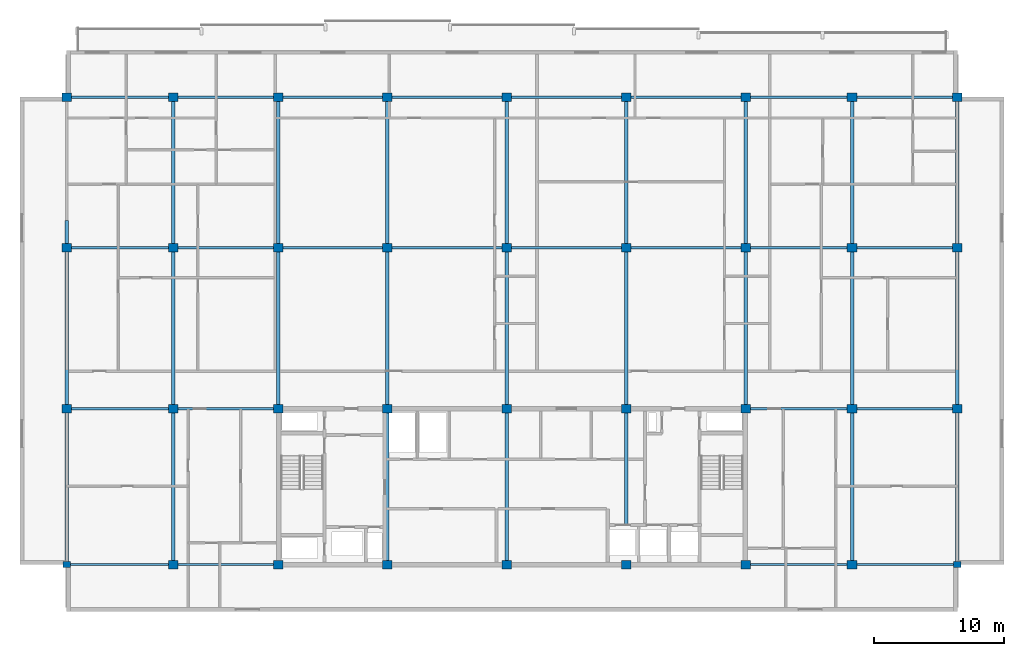
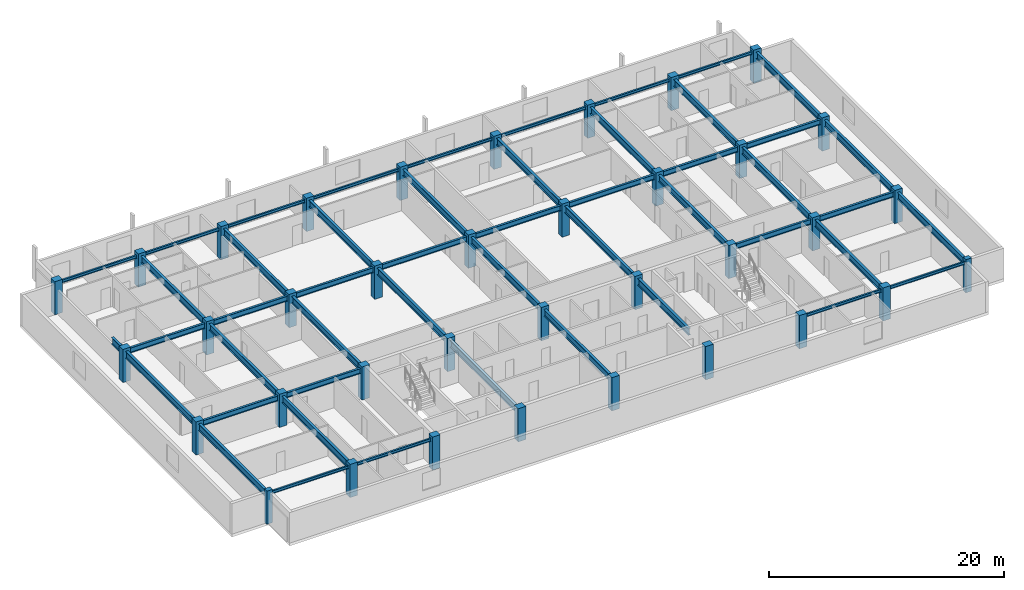
# One storey, part 1 of 10: 49 beams, 36 columns.
"""IFC4 building model written with IfcOpenShell, lengths in metres."""

from ifc_helpers import new_model, si_unit, direction, frame, origin, origin_2d, place, context, subcontext, project, spatial, rectangle, i_section, extrude, material, material_profile, profile_set, type_object, element, save


model = new_model("IFC4")

# Units and contexts
model_context = context("Model", 3, precision=1e-05, world=origin(), true_north=direction((0.0, 1.0)))
body_context = subcontext(model_context, "Body", "Model", "MODEL_VIEW")
ifc_project = project(units=[si_unit("LENGTHUNIT", "METRE"), si_unit("AREAUNIT", "SQUARE_METRE"), si_unit("VOLUMEUNIT", "CUBIC_METRE"), si_unit("PLANEANGLEUNIT", "RADIAN"), si_unit("MASSUNIT", "GRAM", prefix="KILO")], contexts=[model_context])

# Site, building, storey
site_placement = place(None, origin())
site = spatial("IfcSite", under=ifc_project, at=site_placement, CompositionType="ELEMENT")
building_placement = place(site_placement, origin())
building = spatial("IfcBuilding", under=site, at=building_placement, Name="Korimba Cascade Residences", CompositionType="ELEMENT")
storey_placement = place(building_placement, frame((0.0, 0.0, 239.0)))
storey = spatial("IfcBuildingStorey", under=building, at=storey_placement, Name="L69", CompositionType="ELEMENT", Elevation=239.0)

# Columns
ifc_material_1 = material(Name="Concrete C65/80", Category="concrete")
ifc_material_profile_1 = material_profile(ifc_material_1, rectangle(XDim=0.550048828125, YDim=0.449951171875, at=origin_2d()), Name="Concrete C65/80")
ifc_profile_set_1 = profile_set([ifc_material_profile_1], Name="Concrete C65/80")
column_type_1 = type_object("IfcColumnType", Name="COL-PIL-550", PredefinedType="PILASTER", material=ifc_profile_set_1)
for number, where, z_axis, x_axis, name in (
    (1, (59.800048828125, 55.199951171875, 0.0), (0.0, 0.0, 1.0), (1.0, 0.0, 0.0), "L69 Tower 1 Column 1.1"),
    (2, (128.39990234375, 55.199951171875, 0.0), (0.0, 0.0, 1.0), (1.0, 0.0, 0.0), "L69 Tower 1 Column 9.1"),
):
    element("IfcColumn", number, at=place(storey_placement, frame(where, z_axis=z_axis, x_axis=x_axis)), inside=storey, type_object=column_type_1, Name=name, PredefinedType="PILASTER", context=body_context, shape_type="SweptSolid", body=[
        extrude(rectangle(XDim=0.550048828125, YDim=0.449951171875, at=origin_2d()), origin(), (0.0, 0.0, 1.0), 3.449951171875),
    ])
ifc_material_2 = material(Name="Concrete C50/60", Category="concrete")
ifc_material_profile_2 = material_profile(ifc_material_2, rectangle(XDim=0.75, YDim=0.64990234375, at=origin_2d()), Name="Concrete C50/60")
ifc_profile_set_2 = profile_set([ifc_material_profile_2], Name="Concrete C50/60")
column_type_2 = type_object("IfcColumnType", Name="COL-RC-750", PredefinedType="COLUMN", material=ifc_profile_set_2)
for number, where, z_axis, x_axis, name in (
    (3, (59.800048828125, 67.199951171875, 0.0), (0.0, 0.0, 1.0), (1.0, 0.0, 0.0), "L69 Tower 1 Column 1.2"),
    (4, (59.800048828125, 79.60009765625, 0.0), (0.0, 0.0, 1.0), (1.0, 0.0, 0.0), "L69 Tower 1 Column 1.3"),
    (5, (59.800048828125, 91.199951171875, 0.0), (0.0, 0.0, 1.0), (1.0, 0.0, 0.0), "L69 Tower 1 Column 1.4"),
    (6, (68.0, 55.199951171875, 0.0), (0.0, 0.0, 1.0), (1.0, 0.0, 0.0), "L69 Tower 1 Column 2.1"),
    (7, (68.0, 67.199951171875, 0.0), (0.0, 0.0, 1.0), (1.0, 0.0, 0.0), "L69 Tower 1 Column 2.2"),
    (8, (68.0, 79.60009765625, 0.0), (0.0, 0.0, 1.0), (1.0, 0.0, 0.0), "L69 Tower 1 Column 2.3"),
    (9, (68.0, 91.199951171875, 0.0), (0.0, 0.0, 1.0), (1.0, 0.0, 0.0), "L69 Tower 1 Column 2.4"),
    (10, (76.10009765625, 55.199951171875, 0.0), (0.0, 0.0, 1.0), (1.0, 0.0, 0.0), "L69 Tower 1 Column 3.1"),
    (11, (76.10009765625, 67.199951171875, 0.0), (0.0, 0.0, 1.0), (1.0, 0.0, 0.0), "L69 Tower 1 Column 3.2"),
    (12, (76.10009765625, 79.60009765625, 0.0), (0.0, 0.0, 1.0), (1.0, 0.0, 0.0), "L69 Tower 1 Column 3.3"),
    (13, (76.10009765625, 91.199951171875, 0.0), (0.0, 0.0, 1.0), (1.0, 0.0, 0.0), "L69 Tower 1 Column 3.4"),
    (14, (84.5, 55.199951171875, 0.0), (0.0, 0.0, 1.0), (1.0, 0.0, 0.0), "L69 Tower 1 Column 4.1"),
    (15, (84.5, 67.199951171875, 0.0), (0.0, 0.0, 1.0), (1.0, 0.0, 0.0), "L69 Tower 1 Column 4.2"),
    (16, (84.5, 79.60009765625, 0.0), (0.0, 0.0, 1.0), (1.0, 0.0, 0.0), "L69 Tower 1 Column 4.3"),
    (17, (84.5, 91.199951171875, 0.0), (0.0, 0.0, 1.0), (1.0, 0.0, 0.0), "L69 Tower 1 Column 4.4"),
    (18, (93.699951171875, 55.199951171875, 0.0), (0.0, 0.0, 1.0), (1.0, 0.0, 0.0), "L69 Tower 1 Column 5.1"),
    (19, (93.699951171875, 67.199951171875, 0.0), (0.0, 0.0, 1.0), (1.0, 0.0, 0.0), "L69 Tower 1 Column 5.2"),
    (20, (93.699951171875, 79.60009765625, 0.0), (0.0, 0.0, 1.0), (1.0, 0.0, 0.0), "L69 Tower 1 Column 5.3"),
    (21, (93.699951171875, 91.199951171875, 0.0), (0.0, 0.0, 1.0), (1.0, 0.0, 0.0), "L69 Tower 1 Column 5.4"),
    (22, (102.89990234375, 55.199951171875, 0.0), (0.0, 0.0, 1.0), (1.0, 0.0, 0.0), "L69 Tower 1 Column 6.1"),
    (23, (102.89990234375, 67.199951171875, 0.0), (0.0, 0.0, 1.0), (1.0, 0.0, 0.0), "L69 Tower 1 Column 6.2"),
    (24, (102.89990234375, 79.60009765625, 0.0), (0.0, 0.0, 1.0), (1.0, 0.0, 0.0), "L69 Tower 1 Column 6.3"),
    (25, (102.89990234375, 91.199951171875, 0.0), (0.0, 0.0, 1.0), (1.0, 0.0, 0.0), "L69 Tower 1 Column 6.4"),
    (26, (112.10009765625, 55.199951171875, 0.0), (0.0, 0.0, 1.0), (1.0, 0.0, 0.0), "L69 Tower 1 Column 7.1"),
    (27, (112.10009765625, 67.199951171875, 0.0), (0.0, 0.0, 1.0), (1.0, 0.0, 0.0), "L69 Tower 1 Column 7.2"),
    (28, (112.10009765625, 79.60009765625, 0.0), (0.0, 0.0, 1.0), (1.0, 0.0, 0.0), "L69 Tower 1 Column 7.3"),
    (29, (112.10009765625, 91.199951171875, 0.0), (0.0, 0.0, 1.0), (1.0, 0.0, 0.0), "L69 Tower 1 Column 7.4"),
    (30, (120.300048828125, 55.199951171875, 0.0), (0.0, 0.0, 1.0), (1.0, 0.0, 0.0), "L69 Tower 1 Column 8.1"),
    (31, (120.300048828125, 67.199951171875, 0.0), (0.0, 0.0, 1.0), (1.0, 0.0, 0.0), "L69 Tower 1 Column 8.2"),
    (32, (120.300048828125, 79.60009765625, 0.0), (0.0, 0.0, 1.0), (1.0, 0.0, 0.0), "L69 Tower 1 Column 8.3"),
    (33, (120.300048828125, 91.199951171875, 0.0), (0.0, 0.0, 1.0), (1.0, 0.0, 0.0), "L69 Tower 1 Column 8.4"),
    (34, (128.39990234375, 67.199951171875, 0.0), (0.0, 0.0, 1.0), (1.0, 0.0, 0.0), "L69 Tower 1 Column 9.2"),
    (35, (128.39990234375, 79.60009765625, 0.0), (0.0, 0.0, 1.0), (1.0, 0.0, 0.0), "L69 Tower 1 Column 9.3"),
    (36, (128.39990234375, 91.199951171875, 0.0), (0.0, 0.0, 1.0), (1.0, 0.0, 0.0), "L69 Tower 1 Column 9.4"),
):
    element("IfcColumn", number, at=place(storey_placement, frame(where, z_axis=z_axis, x_axis=x_axis)), inside=storey, type_object=column_type_2, Name=name, PredefinedType="COLUMN", context=body_context, shape_type="SweptSolid", body=[
        extrude(rectangle(XDim=0.75, YDim=0.64990234375, at=origin_2d()), origin(), (0.0, 0.0, 1.0), 3.449951171875),
    ])

# Beams
ifc_material_3 = material(Name="Steel S355", Category="steel")
ifc_material_profile_3 = material_profile(ifc_material_3, i_section(OverallWidth=0.165771484375, OverallDepth=0.306640625, WebThickness=0.006591796875, FlangeThickness=0.01171875, FilletRadius=0.0087890625, at=origin_2d()), Name="Steel S355")
ifc_profile_set_3 = profile_set([ifc_material_profile_3], Name="Steel S355")
beam_type_1 = type_object("IfcBeamType", Name="BM-STL-UB305", PredefinedType="SPANDREL", material=ifc_profile_set_3)
beam_1_placement = place(storey_placement, frame((60.074951171875, 55.199951171875, 3.0166015625), z_axis=(1.0, 0.0, 0.0), x_axis=(0.0, 1.0, 0.0)))
element("IfcBeam", 37, at=beam_1_placement, inside=storey, type_object=beam_type_1, Name="L69 T1 E-W Girder Y1 Bay 1", PredefinedType="SPANDREL", context=body_context, shape_type="SweptSolid", body=[
    extrude(i_section(OverallWidth=0.165771484375, OverallDepth=0.306640625, WebThickness=0.006591796875, FlangeThickness=0.01171875, FilletRadius=0.0087890625, at=origin_2d()), origin(), (0.0, 0.0, 1.0), 7.550048828125),
])
beam_2_placement = place(storey_placement, frame((68.375, 55.199951171875, 3.0166015625), z_axis=(1.0, 0.0, 0.0), x_axis=(0.0, 1.0, 0.0)))
element("IfcBeam", 38, at=beam_2_placement, inside=storey, type_object=beam_type_1, Name="L69 T1 E-W Girder Y1 Bay 2", PredefinedType="SPANDREL", context=body_context, shape_type="SweptSolid", body=[
    extrude(i_section(OverallWidth=0.165771484375, OverallDepth=0.306640625, WebThickness=0.006591796875, FlangeThickness=0.01171875, FilletRadius=0.0087890625, at=origin_2d()), origin(), (0.0, 0.0, 1.0), 7.35009765625),
])
for number, where, z_axis, x_axis, name in (
    (39, (112.47509765625, 55.199951171875, 3.0166015625), (1.0, 0.0, 0.0), (0.0, 1.0, 0.0), "L69 T1 E-W Girder Y1 Bay 7"),
    (40, (120.675048828125, 55.199951171875, 3.0166015625), (1.0, 0.0, 0.0), (0.0, 1.0, 0.0), "L69 T1 E-W Girder Y1 Bay 8"),
    (41, (60.175048828125, 91.199951171875, 3.0166015625), (1.0, 0.0, 0.0), (0.0, 1.0, 0.0), "L69 T1 E-W Girder Y4 Bay 1"),
):
    element("IfcBeam", number, at=place(storey_placement, frame(where, z_axis=z_axis, x_axis=x_axis)), inside=storey, type_object=beam_type_1, Name=name, PredefinedType="SPANDREL", context=body_context, shape_type="SweptSolid", body=[
        extrude(i_section(OverallWidth=0.165771484375, OverallDepth=0.306640625, WebThickness=0.006591796875, FlangeThickness=0.01171875, FilletRadius=0.0087890625, at=origin_2d()), origin(), (0.0, 0.0, 1.0), 7.449951171875),
    ])
beam_3_placement = place(storey_placement, frame((68.375, 91.199951171875, 3.0166015625), z_axis=(1.0, 0.0, 0.0), x_axis=(0.0, 1.0, 0.0)))
element("IfcBeam", 42, at=beam_3_placement, inside=storey, type_object=beam_type_1, Name="L69 T1 E-W Girder Y4 Bay 2", PredefinedType="SPANDREL", context=body_context, shape_type="SweptSolid", body=[
    extrude(i_section(OverallWidth=0.165771484375, OverallDepth=0.306640625, WebThickness=0.006591796875, FlangeThickness=0.01171875, FilletRadius=0.0087890625, at=origin_2d()), origin(), (0.0, 0.0, 1.0), 7.35009765625),
])
beam_4_placement = place(storey_placement, frame((76.47509765625, 91.199951171875, 3.0166015625), z_axis=(1.0, 0.0, 0.0), x_axis=(0.0, 1.0, 0.0)))
element("IfcBeam", 43, at=beam_4_placement, inside=storey, type_object=beam_type_1, Name="L69 T1 E-W Girder Y4 Bay 3", PredefinedType="SPANDREL", context=body_context, shape_type="SweptSolid", body=[
    extrude(i_section(OverallWidth=0.165771484375, OverallDepth=0.306640625, WebThickness=0.006591796875, FlangeThickness=0.01171875, FilletRadius=0.0087890625, at=origin_2d()), origin(), (0.0, 0.0, 1.0), 7.64990234375),
])
for number, where, z_axis, x_axis, name in (
    (44, (84.875, 91.199951171875, 3.0166015625), (1.0, 0.0, 0.0), (0.0, 1.0, 0.0), "L69 T1 E-W Girder Y4 Bay 4"),
    (45, (94.074951171875, 91.199951171875, 3.0166015625), (1.0, 0.0, 0.0), (0.0, 1.0, 0.0), "L69 T1 E-W Girder Y4 Bay 5"),
):
    element("IfcBeam", number, at=place(storey_placement, frame(where, z_axis=z_axis, x_axis=x_axis)), inside=storey, type_object=beam_type_1, Name=name, PredefinedType="SPANDREL", context=body_context, shape_type="SweptSolid", body=[
        extrude(i_section(OverallWidth=0.165771484375, OverallDepth=0.306640625, WebThickness=0.006591796875, FlangeThickness=0.01171875, FilletRadius=0.0087890625, at=origin_2d()), origin(), (0.0, 0.0, 1.0), 8.449951171875),
    ])
beam_5_placement = place(storey_placement, frame((103.27490234375, 91.199951171875, 3.0166015625), z_axis=(1.0, 0.0, 0.0), x_axis=(0.0, 1.0, 0.0)))
element("IfcBeam", 46, at=beam_5_placement, inside=storey, type_object=beam_type_1, Name="L69 T1 E-W Girder Y4 Bay 6", PredefinedType="SPANDREL", context=body_context, shape_type="SweptSolid", body=[
    extrude(i_section(OverallWidth=0.165771484375, OverallDepth=0.306640625, WebThickness=0.006591796875, FlangeThickness=0.01171875, FilletRadius=0.0087890625, at=origin_2d()), origin(), (0.0, 0.0, 1.0), 8.4501953125),
])
beam_6_placement = place(storey_placement, frame((112.47509765625, 91.199951171875, 3.0166015625), z_axis=(1.0, 0.0, 0.0), x_axis=(0.0, 1.0, 0.0)))
element("IfcBeam", 47, at=beam_6_placement, inside=storey, type_object=beam_type_1, Name="L69 T1 E-W Girder Y4 Bay 7", PredefinedType="SPANDREL", context=body_context, shape_type="SweptSolid", body=[
    extrude(i_section(OverallWidth=0.165771484375, OverallDepth=0.306640625, WebThickness=0.006591796875, FlangeThickness=0.01171875, FilletRadius=0.0087890625, at=origin_2d()), origin(), (0.0, 0.0, 1.0), 7.449951171875),
])
beam_7_placement = place(storey_placement, frame((120.675048828125, 91.199951171875, 3.0166015625), z_axis=(1.0, 0.0, 0.0), x_axis=(0.0, 1.0, 0.0)))
element("IfcBeam", 48, at=beam_7_placement, inside=storey, type_object=beam_type_1, Name="L69 T1 E-W Girder Y4 Bay 8", PredefinedType="SPANDREL", context=body_context, shape_type="SweptSolid", body=[
    extrude(i_section(OverallWidth=0.165771484375, OverallDepth=0.306640625, WebThickness=0.006591796875, FlangeThickness=0.01171875, FilletRadius=0.0087890625, at=origin_2d()), origin(), (0.0, 0.0, 1.0), 7.349853515625),
])
ifc_material_profile_4 = material_profile(ifc_material_3, i_section(OverallWidth=0.2099609375, OverallDepth=0.53662109375, WebThickness=0.0107421875, FlangeThickness=0.017333984375, FilletRadius=0.0126953125, at=origin_2d()), Name="Steel S355")
ifc_profile_set_4 = profile_set([ifc_material_profile_4], Name="Steel S355")
beam_type_2 = type_object("IfcBeamType", Name="BM-STL-UB533", PredefinedType="BEAM", material=ifc_profile_set_4)
beam_8_placement = place(storey_placement, frame((60.175048828125, 67.199951171875, 2.901611328125), z_axis=(1.0, 0.0, 0.0), x_axis=(0.0, 1.0, 0.0)))
element("IfcBeam", 49, at=beam_8_placement, inside=storey, type_object=beam_type_2, Name="L69 T1 E-W Girder Y2 Bay 1", PredefinedType="BEAM", context=body_context, shape_type="SweptSolid", body=[
    extrude(i_section(OverallWidth=0.2099609375, OverallDepth=0.53662109375, WebThickness=0.0107421875, FlangeThickness=0.017333984375, FilletRadius=0.0126953125, at=origin_2d()), origin(), (0.0, 0.0, 1.0), 7.449951171875),
])
beam_9_placement = place(storey_placement, frame((68.375, 67.199951171875, 2.901611328125), z_axis=(1.0, 0.0, 0.0), x_axis=(0.0, 1.0, 0.0)))
element("IfcBeam", 50, at=beam_9_placement, inside=storey, type_object=beam_type_2, Name="L69 T1 E-W Girder Y2 Bay 2", PredefinedType="BEAM", context=body_context, shape_type="SweptSolid", body=[
    extrude(i_section(OverallWidth=0.2099609375, OverallDepth=0.53662109375, WebThickness=0.0107421875, FlangeThickness=0.017333984375, FilletRadius=0.0126953125, at=origin_2d()), origin(), (0.0, 0.0, 1.0), 7.35009765625),
])
beam_10_placement = place(storey_placement, frame((112.47509765625, 67.199951171875, 2.901611328125), z_axis=(1.0, 0.0, 0.0), x_axis=(0.0, 1.0, 0.0)))
element("IfcBeam", 51, at=beam_10_placement, inside=storey, type_object=beam_type_2, Name="L69 T1 E-W Girder Y2 Bay 7", PredefinedType="BEAM", context=body_context, shape_type="SweptSolid", body=[
    extrude(i_section(OverallWidth=0.2099609375, OverallDepth=0.53662109375, WebThickness=0.0107421875, FlangeThickness=0.017333984375, FilletRadius=0.0126953125, at=origin_2d()), origin(), (0.0, 0.0, 1.0), 7.449951171875),
])
beam_11_placement = place(storey_placement, frame((120.675048828125, 67.199951171875, 2.901611328125), z_axis=(1.0, 0.0, 0.0), x_axis=(0.0, 1.0, 0.0)))
element("IfcBeam", 52, at=beam_11_placement, inside=storey, type_object=beam_type_2, Name="L69 T1 E-W Girder Y2 Bay 8", PredefinedType="BEAM", context=body_context, shape_type="SweptSolid", body=[
    extrude(i_section(OverallWidth=0.2099609375, OverallDepth=0.53662109375, WebThickness=0.0107421875, FlangeThickness=0.017333984375, FilletRadius=0.0126953125, at=origin_2d()), origin(), (0.0, 0.0, 1.0), 7.349853515625),
])
beam_12_placement = place(storey_placement, frame((60.175048828125, 79.60009765625, 2.901611328125), z_axis=(1.0, 0.0, 0.0), x_axis=(0.0, 1.0, 0.0)))
element("IfcBeam", 53, at=beam_12_placement, inside=storey, type_object=beam_type_2, Name="L69 T1 E-W Girder Y3 Bay 1", PredefinedType="BEAM", context=body_context, shape_type="SweptSolid", body=[
    extrude(i_section(OverallWidth=0.2099609375, OverallDepth=0.53662109375, WebThickness=0.0107421875, FlangeThickness=0.017333984375, FilletRadius=0.0126953125, at=origin_2d()), origin(), (0.0, 0.0, 1.0), 7.449951171875),
])
beam_13_placement = place(storey_placement, frame((68.375, 79.60009765625, 2.901611328125), z_axis=(1.0, 0.0, 0.0), x_axis=(0.0, 1.0, 0.0)))
element("IfcBeam", 54, at=beam_13_placement, inside=storey, type_object=beam_type_2, Name="L69 T1 E-W Girder Y3 Bay 2", PredefinedType="BEAM", context=body_context, shape_type="SweptSolid", body=[
    extrude(i_section(OverallWidth=0.2099609375, OverallDepth=0.53662109375, WebThickness=0.0107421875, FlangeThickness=0.017333984375, FilletRadius=0.0126953125, at=origin_2d()), origin(), (0.0, 0.0, 1.0), 7.35009765625),
])
beam_14_placement = place(storey_placement, frame((76.47509765625, 79.60009765625, 2.901611328125), z_axis=(1.0, 0.0, 0.0), x_axis=(0.0, 1.0, 0.0)))
element("IfcBeam", 55, at=beam_14_placement, inside=storey, type_object=beam_type_2, Name="L69 T1 E-W Girder Y3 Bay 3", PredefinedType="BEAM", context=body_context, shape_type="SweptSolid", body=[
    extrude(i_section(OverallWidth=0.2099609375, OverallDepth=0.53662109375, WebThickness=0.0107421875, FlangeThickness=0.017333984375, FilletRadius=0.0126953125, at=origin_2d()), origin(), (0.0, 0.0, 1.0), 7.64990234375),
])
for number, where, z_axis, x_axis, name in (
    (56, (84.875, 79.60009765625, 2.901611328125), (1.0, 0.0, 0.0), (0.0, 1.0, 0.0), "L69 T1 E-W Girder Y3 Bay 4"),
    (57, (94.074951171875, 79.60009765625, 2.901611328125), (1.0, 0.0, 0.0), (0.0, 1.0, 0.0), "L69 T1 E-W Girder Y3 Bay 5"),
):
    element("IfcBeam", number, at=place(storey_placement, frame(where, z_axis=z_axis, x_axis=x_axis)), inside=storey, type_object=beam_type_2, Name=name, PredefinedType="BEAM", context=body_context, shape_type="SweptSolid", body=[
        extrude(i_section(OverallWidth=0.2099609375, OverallDepth=0.53662109375, WebThickness=0.0107421875, FlangeThickness=0.017333984375, FilletRadius=0.0126953125, at=origin_2d()), origin(), (0.0, 0.0, 1.0), 8.449951171875),
    ])
beam_15_placement = place(storey_placement, frame((103.27490234375, 79.60009765625, 2.901611328125), z_axis=(1.0, 0.0, 0.0), x_axis=(0.0, 1.0, 0.0)))
element("IfcBeam", 58, at=beam_15_placement, inside=storey, type_object=beam_type_2, Name="L69 T1 E-W Girder Y3 Bay 6", PredefinedType="BEAM", context=body_context, shape_type="SweptSolid", body=[
    extrude(i_section(OverallWidth=0.2099609375, OverallDepth=0.53662109375, WebThickness=0.0107421875, FlangeThickness=0.017333984375, FilletRadius=0.0126953125, at=origin_2d()), origin(), (0.0, 0.0, 1.0), 8.4501953125),
])
beam_16_placement = place(storey_placement, frame((112.47509765625, 79.60009765625, 2.901611328125), z_axis=(1.0, 0.0, 0.0), x_axis=(0.0, 1.0, 0.0)))
element("IfcBeam", 59, at=beam_16_placement, inside=storey, type_object=beam_type_2, Name="L69 T1 E-W Girder Y3 Bay 7", PredefinedType="BEAM", context=body_context, shape_type="SweptSolid", body=[
    extrude(i_section(OverallWidth=0.2099609375, OverallDepth=0.53662109375, WebThickness=0.0107421875, FlangeThickness=0.017333984375, FilletRadius=0.0126953125, at=origin_2d()), origin(), (0.0, 0.0, 1.0), 7.449951171875),
])
beam_17_placement = place(storey_placement, frame((120.675048828125, 79.60009765625, 2.901611328125), z_axis=(1.0, 0.0, 0.0), x_axis=(0.0, 1.0, 0.0)))
element("IfcBeam", 60, at=beam_17_placement, inside=storey, type_object=beam_type_2, Name="L69 T1 E-W Girder Y3 Bay 8", PredefinedType="BEAM", context=body_context, shape_type="SweptSolid", body=[
    extrude(i_section(OverallWidth=0.2099609375, OverallDepth=0.53662109375, WebThickness=0.0107421875, FlangeThickness=0.017333984375, FilletRadius=0.0126953125, at=origin_2d()), origin(), (0.0, 0.0, 1.0), 7.349853515625),
])
ifc_material_profile_5 = material_profile(ifc_material_3, i_section(OverallWidth=0.255859375, OverallDepth=0.69287109375, WebThickness=0.014404296875, FlangeThickness=0.023681640625, FilletRadius=0.01513671875, at=origin_2d()), Name="Steel S355")
ifc_profile_set_5 = profile_set([ifc_material_profile_5], Name="Steel S355")
beam_type_3 = type_object("IfcBeamType", Name="BM-STL-UB686", PredefinedType="BEAM", material=ifc_profile_set_5)
beam_18_placement = place(storey_placement, frame((59.800048828125, 55.425048828125, 2.823486328125), z_axis=(0.0, 1.0, 0.0), x_axis=(-1.0, 0.0, 0.0)))
element("IfcBeam", 61, at=beam_18_placement, inside=storey, type_object=beam_type_3, Name="L69 T1 N-S Girder X1 Seg 1", PredefinedType="BEAM", context=body_context, shape_type="SweptSolid", body=[
    extrude(i_section(OverallWidth=0.255859375, OverallDepth=0.69287109375, WebThickness=0.014404296875, FlangeThickness=0.023681640625, FilletRadius=0.01513671875, at=origin_2d()), origin(), (0.0, 0.0, 1.0), 11.449951171875),
])
beam_19_placement = place(storey_placement, frame((59.800048828125, 67.52490234375, 2.823486328125), z_axis=(0.0, 1.0, 0.0), x_axis=(-1.0, 0.0, 0.0)))
element("IfcBeam", 62, at=beam_19_placement, inside=storey, type_object=beam_type_3, Name="L69 T1 N-S Girder X1 Seg 2", PredefinedType="BEAM", context=body_context, shape_type="SweptSolid", body=[
    extrude(i_section(OverallWidth=0.255859375, OverallDepth=0.69287109375, WebThickness=0.014404296875, FlangeThickness=0.023681640625, FilletRadius=0.01513671875, at=origin_2d()), origin(), (0.0, 0.0, 1.0), 11.75),
])
beam_20_placement = place(storey_placement, frame((59.800048828125, 79.925048828125, 2.823486328125), z_axis=(0.0, 1.0, 0.0), x_axis=(-1.0, 0.0, 0.0)))
element("IfcBeam", 63, at=beam_20_placement, inside=storey, type_object=beam_type_3, Name="L69 T1 N-S Girder X1 Seg 3", PredefinedType="BEAM", context=body_context, shape_type="SweptSolid", body=[
    extrude(i_section(OverallWidth=0.255859375, OverallDepth=0.69287109375, WebThickness=0.014404296875, FlangeThickness=0.023681640625, FilletRadius=0.01513671875, at=origin_2d()), origin(), (0.0, 0.0, 1.0), 1.77490234375),
])
beam_21_placement = place(storey_placement, frame((68.0, 55.52490234375, 2.823486328125), z_axis=(0.0, 1.0, 0.0), x_axis=(-1.0, 0.0, 0.0)))
element("IfcBeam", 64, at=beam_21_placement, inside=storey, type_object=beam_type_3, Name="L69 T1 N-S Girder X2 Seg 1", PredefinedType="BEAM", context=body_context, shape_type="SweptSolid", body=[
    extrude(i_section(OverallWidth=0.255859375, OverallDepth=0.69287109375, WebThickness=0.014404296875, FlangeThickness=0.023681640625, FilletRadius=0.01513671875, at=origin_2d()), origin(), (0.0, 0.0, 1.0), 11.35009765625),
])
beam_22_placement = place(storey_placement, frame((68.0, 67.52490234375, 2.823486328125), z_axis=(0.0, 1.0, 0.0), x_axis=(-1.0, 0.0, 0.0)))
element("IfcBeam", 65, at=beam_22_placement, inside=storey, type_object=beam_type_3, Name="L69 T1 N-S Girder X2 Seg 2", PredefinedType="BEAM", context=body_context, shape_type="SweptSolid", body=[
    extrude(i_section(OverallWidth=0.255859375, OverallDepth=0.69287109375, WebThickness=0.014404296875, FlangeThickness=0.023681640625, FilletRadius=0.01513671875, at=origin_2d()), origin(), (0.0, 0.0, 1.0), 11.75),
])
beam_23_placement = place(storey_placement, frame((68.0, 79.925048828125, 2.823486328125), z_axis=(0.0, 1.0, 0.0), x_axis=(-1.0, 0.0, 0.0)))
element("IfcBeam", 66, at=beam_23_placement, inside=storey, type_object=beam_type_3, Name="L69 T1 N-S Girder X2 Seg 3", PredefinedType="BEAM", context=body_context, shape_type="SweptSolid", body=[
    extrude(i_section(OverallWidth=0.255859375, OverallDepth=0.69287109375, WebThickness=0.014404296875, FlangeThickness=0.023681640625, FilletRadius=0.01513671875, at=origin_2d()), origin(), (0.0, 0.0, 1.0), 10.949951171875),
])
beam_24_placement = place(storey_placement, frame((76.10009765625, 67.52490234375, 2.823486328125), z_axis=(0.0, 1.0, 0.0), x_axis=(-1.0, 0.0, 0.0)))
element("IfcBeam", 67, at=beam_24_placement, inside=storey, type_object=beam_type_3, Name="L69 T1 N-S Girder X3 Seg 2", PredefinedType="BEAM", context=body_context, shape_type="SweptSolid", body=[
    extrude(i_section(OverallWidth=0.255859375, OverallDepth=0.69287109375, WebThickness=0.014404296875, FlangeThickness=0.023681640625, FilletRadius=0.01513671875, at=origin_2d()), origin(), (0.0, 0.0, 1.0), 11.75),
])
beam_25_placement = place(storey_placement, frame((76.10009765625, 79.925048828125, 2.823486328125), z_axis=(0.0, 1.0, 0.0), x_axis=(-1.0, 0.0, 0.0)))
element("IfcBeam", 68, at=beam_25_placement, inside=storey, type_object=beam_type_3, Name="L69 T1 N-S Girder X3 Seg 3", PredefinedType="BEAM", context=body_context, shape_type="SweptSolid", body=[
    extrude(i_section(OverallWidth=0.255859375, OverallDepth=0.69287109375, WebThickness=0.014404296875, FlangeThickness=0.023681640625, FilletRadius=0.01513671875, at=origin_2d()), origin(), (0.0, 0.0, 1.0), 10.949951171875),
])
beam_26_placement = place(storey_placement, frame((84.5, 55.52490234375, 2.823486328125), z_axis=(0.0, 1.0, 0.0), x_axis=(-1.0, 0.0, 0.0)))
element("IfcBeam", 69, at=beam_26_placement, inside=storey, type_object=beam_type_3, Name="L69 T1 N-S Girder X4 Seg 1", PredefinedType="BEAM", context=body_context, shape_type="SweptSolid", body=[
    extrude(i_section(OverallWidth=0.255859375, OverallDepth=0.69287109375, WebThickness=0.014404296875, FlangeThickness=0.023681640625, FilletRadius=0.01513671875, at=origin_2d()), origin(), (0.0, 0.0, 1.0), 11.35009765625),
])
beam_27_placement = place(storey_placement, frame((84.5, 67.52490234375, 2.823486328125), z_axis=(0.0, 1.0, 0.0), x_axis=(-1.0, 0.0, 0.0)))
element("IfcBeam", 70, at=beam_27_placement, inside=storey, type_object=beam_type_3, Name="L69 T1 N-S Girder X4 Seg 2", PredefinedType="BEAM", context=body_context, shape_type="SweptSolid", body=[
    extrude(i_section(OverallWidth=0.255859375, OverallDepth=0.69287109375, WebThickness=0.014404296875, FlangeThickness=0.023681640625, FilletRadius=0.01513671875, at=origin_2d()), origin(), (0.0, 0.0, 1.0), 11.75),
])
beam_28_placement = place(storey_placement, frame((84.5, 79.925048828125, 2.823486328125), z_axis=(0.0, 1.0, 0.0), x_axis=(-1.0, 0.0, 0.0)))
element("IfcBeam", 71, at=beam_28_placement, inside=storey, type_object=beam_type_3, Name="L69 T1 N-S Girder X4 Seg 3", PredefinedType="BEAM", context=body_context, shape_type="SweptSolid", body=[
    extrude(i_section(OverallWidth=0.255859375, OverallDepth=0.69287109375, WebThickness=0.014404296875, FlangeThickness=0.023681640625, FilletRadius=0.01513671875, at=origin_2d()), origin(), (0.0, 0.0, 1.0), 10.949951171875),
])
beam_29_placement = place(storey_placement, frame((93.699951171875, 55.52490234375, 2.823486328125), z_axis=(0.0, 1.0, 0.0), x_axis=(-1.0, 0.0, 0.0)))
element("IfcBeam", 72, at=beam_29_placement, inside=storey, type_object=beam_type_3, Name="L69 T1 N-S Girder X5 Seg 1", PredefinedType="BEAM", context=body_context, shape_type="SweptSolid", body=[
    extrude(i_section(OverallWidth=0.255859375, OverallDepth=0.69287109375, WebThickness=0.014404296875, FlangeThickness=0.023681640625, FilletRadius=0.01513671875, at=origin_2d()), origin(), (0.0, 0.0, 1.0), 11.35009765625),
])
beam_30_placement = place(storey_placement, frame((93.699951171875, 67.52490234375, 2.823486328125), z_axis=(0.0, 1.0, 0.0), x_axis=(-1.0, 0.0, 0.0)))
element("IfcBeam", 73, at=beam_30_placement, inside=storey, type_object=beam_type_3, Name="L69 T1 N-S Girder X5 Seg 2", PredefinedType="BEAM", context=body_context, shape_type="SweptSolid", body=[
    extrude(i_section(OverallWidth=0.255859375, OverallDepth=0.69287109375, WebThickness=0.014404296875, FlangeThickness=0.023681640625, FilletRadius=0.01513671875, at=origin_2d()), origin(), (0.0, 0.0, 1.0), 11.75),
])
beam_31_placement = place(storey_placement, frame((93.699951171875, 79.925048828125, 2.823486328125), z_axis=(0.0, 1.0, 0.0), x_axis=(-1.0, 0.0, 0.0)))
element("IfcBeam", 74, at=beam_31_placement, inside=storey, type_object=beam_type_3, Name="L69 T1 N-S Girder X5 Seg 3", PredefinedType="BEAM", context=body_context, shape_type="SweptSolid", body=[
    extrude(i_section(OverallWidth=0.255859375, OverallDepth=0.69287109375, WebThickness=0.014404296875, FlangeThickness=0.023681640625, FilletRadius=0.01513671875, at=origin_2d()), origin(), (0.0, 0.0, 1.0), 10.949951171875),
])
beam_32_placement = place(storey_placement, frame((102.89990234375, 58.260009765625, 2.823486328125), z_axis=(0.0, 1.0, 0.0), x_axis=(-1.0, 0.0, 0.0)))
element("IfcBeam", 75, at=beam_32_placement, inside=storey, type_object=beam_type_3, Name="L69 T1 N-S Girder X6 Seg 1", PredefinedType="BEAM", context=body_context, shape_type="SweptSolid", body=[
    extrude(i_section(OverallWidth=0.255859375, OverallDepth=0.69287109375, WebThickness=0.014404296875, FlangeThickness=0.023681640625, FilletRadius=0.01513671875, at=origin_2d()), origin(), (0.0, 0.0, 1.0), 8.614990234375),
])
beam_33_placement = place(storey_placement, frame((102.89990234375, 67.52490234375, 2.823486328125), z_axis=(0.0, 1.0, 0.0), x_axis=(-1.0, 0.0, 0.0)))
element("IfcBeam", 76, at=beam_33_placement, inside=storey, type_object=beam_type_3, Name="L69 T1 N-S Girder X6 Seg 2", PredefinedType="BEAM", context=body_context, shape_type="SweptSolid", body=[
    extrude(i_section(OverallWidth=0.255859375, OverallDepth=0.69287109375, WebThickness=0.014404296875, FlangeThickness=0.023681640625, FilletRadius=0.01513671875, at=origin_2d()), origin(), (0.0, 0.0, 1.0), 11.75),
])
beam_34_placement = place(storey_placement, frame((102.89990234375, 79.925048828125, 2.823486328125), z_axis=(0.0, 1.0, 0.0), x_axis=(-1.0, 0.0, 0.0)))
element("IfcBeam", 77, at=beam_34_placement, inside=storey, type_object=beam_type_3, Name="L69 T1 N-S Girder X6 Seg 3", PredefinedType="BEAM", context=body_context, shape_type="SweptSolid", body=[
    extrude(i_section(OverallWidth=0.255859375, OverallDepth=0.69287109375, WebThickness=0.014404296875, FlangeThickness=0.023681640625, FilletRadius=0.01513671875, at=origin_2d()), origin(), (0.0, 0.0, 1.0), 10.949951171875),
])
beam_35_placement = place(storey_placement, frame((112.10009765625, 67.52490234375, 2.823486328125), z_axis=(0.0, 1.0, 0.0), x_axis=(-1.0, 0.0, 0.0)))
element("IfcBeam", 78, at=beam_35_placement, inside=storey, type_object=beam_type_3, Name="L69 T1 N-S Girder X7 Seg 2", PredefinedType="BEAM", context=body_context, shape_type="SweptSolid", body=[
    extrude(i_section(OverallWidth=0.255859375, OverallDepth=0.69287109375, WebThickness=0.014404296875, FlangeThickness=0.023681640625, FilletRadius=0.01513671875, at=origin_2d()), origin(), (0.0, 0.0, 1.0), 11.75),
])
beam_36_placement = place(storey_placement, frame((112.10009765625, 79.925048828125, 2.823486328125), z_axis=(0.0, 1.0, 0.0), x_axis=(-1.0, 0.0, 0.0)))
element("IfcBeam", 79, at=beam_36_placement, inside=storey, type_object=beam_type_3, Name="L69 T1 N-S Girder X7 Seg 3", PredefinedType="BEAM", context=body_context, shape_type="SweptSolid", body=[
    extrude(i_section(OverallWidth=0.255859375, OverallDepth=0.69287109375, WebThickness=0.014404296875, FlangeThickness=0.023681640625, FilletRadius=0.01513671875, at=origin_2d()), origin(), (0.0, 0.0, 1.0), 10.949951171875),
])
beam_37_placement = place(storey_placement, frame((120.300048828125, 55.52490234375, 2.823486328125), z_axis=(0.0, 1.0, 0.0), x_axis=(-1.0, 0.0, 0.0)))
element("IfcBeam", 80, at=beam_37_placement, inside=storey, type_object=beam_type_3, Name="L69 T1 N-S Girder X8 Seg 1", PredefinedType="BEAM", context=body_context, shape_type="SweptSolid", body=[
    extrude(i_section(OverallWidth=0.255859375, OverallDepth=0.69287109375, WebThickness=0.014404296875, FlangeThickness=0.023681640625, FilletRadius=0.01513671875, at=origin_2d()), origin(), (0.0, 0.0, 1.0), 11.35009765625),
])
beam_38_placement = place(storey_placement, frame((120.300048828125, 67.52490234375, 2.823486328125), z_axis=(0.0, 1.0, 0.0), x_axis=(-1.0, 0.0, 0.0)))
element("IfcBeam", 81, at=beam_38_placement, inside=storey, type_object=beam_type_3, Name="L69 T1 N-S Girder X8 Seg 2", PredefinedType="BEAM", context=body_context, shape_type="SweptSolid", body=[
    extrude(i_section(OverallWidth=0.255859375, OverallDepth=0.69287109375, WebThickness=0.014404296875, FlangeThickness=0.023681640625, FilletRadius=0.01513671875, at=origin_2d()), origin(), (0.0, 0.0, 1.0), 11.75),
])
beam_39_placement = place(storey_placement, frame((120.300048828125, 79.925048828125, 2.823486328125), z_axis=(0.0, 1.0, 0.0), x_axis=(-1.0, 0.0, 0.0)))
element("IfcBeam", 82, at=beam_39_placement, inside=storey, type_object=beam_type_3, Name="L69 T1 N-S Girder X8 Seg 3", PredefinedType="BEAM", context=body_context, shape_type="SweptSolid", body=[
    extrude(i_section(OverallWidth=0.255859375, OverallDepth=0.69287109375, WebThickness=0.014404296875, FlangeThickness=0.023681640625, FilletRadius=0.01513671875, at=origin_2d()), origin(), (0.0, 0.0, 1.0), 10.949951171875),
])
beam_40_placement = place(storey_placement, frame((128.39990234375, 55.425048828125, 2.823486328125), z_axis=(0.0, 1.0, 0.0), x_axis=(-1.0, 0.0, 0.0)))
element("IfcBeam", 83, at=beam_40_placement, inside=storey, type_object=beam_type_3, Name="L69 T1 N-S Girder X9 Seg 1", PredefinedType="BEAM", context=body_context, shape_type="SweptSolid", body=[
    extrude(i_section(OverallWidth=0.255859375, OverallDepth=0.69287109375, WebThickness=0.014404296875, FlangeThickness=0.023681640625, FilletRadius=0.01513671875, at=origin_2d()), origin(), (0.0, 0.0, 1.0), 11.449951171875),
])
beam_41_placement = place(storey_placement, frame((128.39990234375, 67.52490234375, 2.823486328125), z_axis=(0.0, 1.0, 0.0), x_axis=(-1.0, 0.0, 0.0)))
element("IfcBeam", 84, at=beam_41_placement, inside=storey, type_object=beam_type_3, Name="L69 T1 N-S Girder X9 Seg 2", PredefinedType="BEAM", context=body_context, shape_type="SweptSolid", body=[
    extrude(i_section(OverallWidth=0.255859375, OverallDepth=0.69287109375, WebThickness=0.014404296875, FlangeThickness=0.023681640625, FilletRadius=0.01513671875, at=origin_2d()), origin(), (0.0, 0.0, 1.0), 11.75),
])
beam_42_placement = place(storey_placement, frame((128.39990234375, 79.925048828125, 2.823486328125), z_axis=(0.0, 1.0, 0.0), x_axis=(-1.0, 0.0, 0.0)))
element("IfcBeam", 85, at=beam_42_placement, inside=storey, type_object=beam_type_3, Name="L69 T1 N-S Girder X9 Seg 3", PredefinedType="BEAM", context=body_context, shape_type="SweptSolid", body=[
    extrude(i_section(OverallWidth=0.255859375, OverallDepth=0.69287109375, WebThickness=0.014404296875, FlangeThickness=0.023681640625, FilletRadius=0.01513671875, at=origin_2d()), origin(), (0.0, 0.0, 1.0), 10.949951171875),
])

save(model, "model.ifc")
